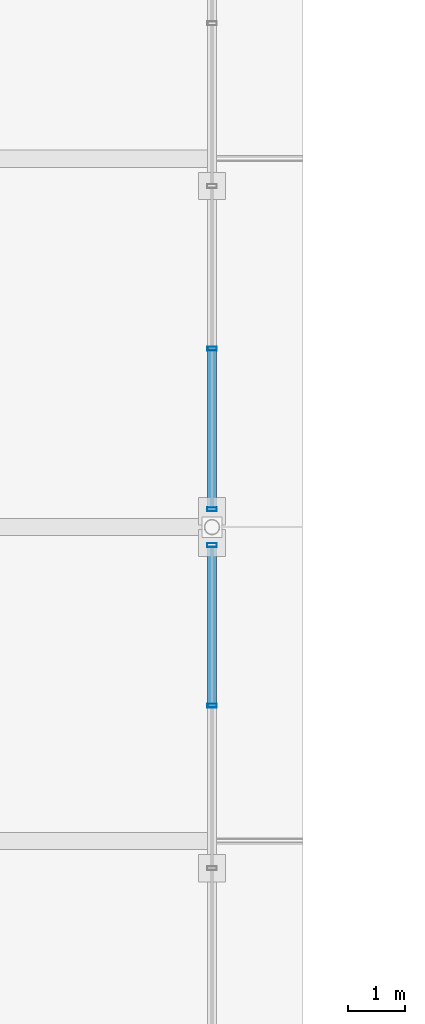
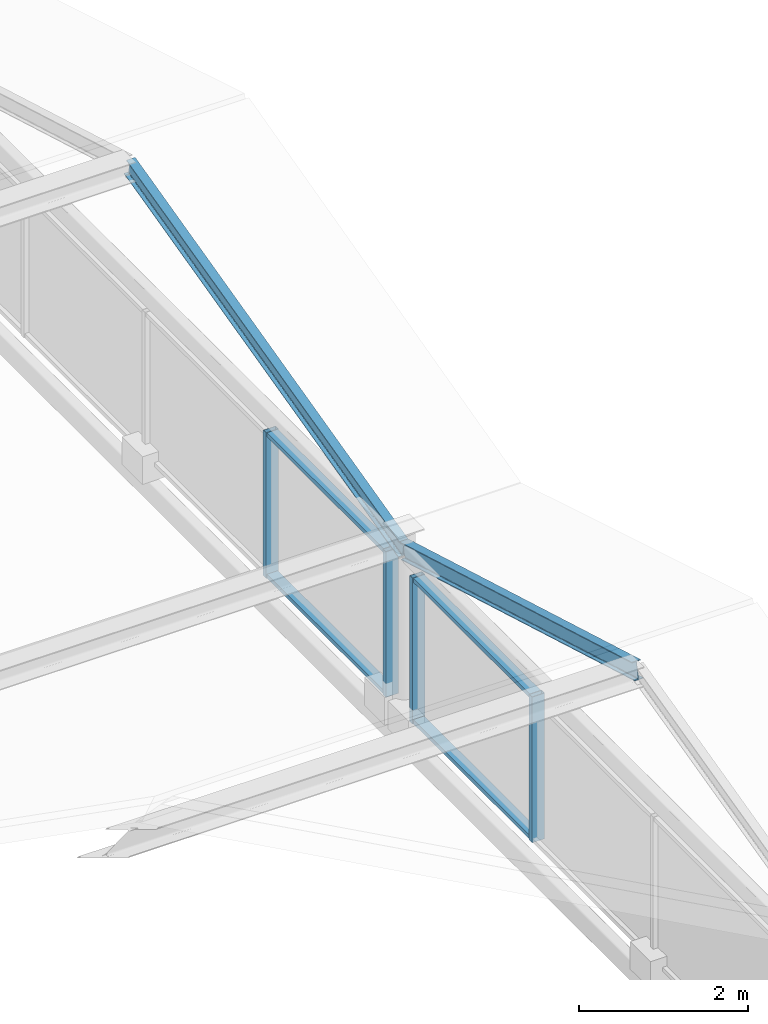
# One storey, part 67 of 117: 10 members, 2 elements without a shape of their own.
"""IFC4 building model written with IfcOpenShell, lengths in metres."""

from ifc_helpers import new_model, si_unit, direction, frame, origin, origin_2d, place, context, subcontext, project, spatial, hollow_rectangle, i_section, extrude, material, material_profile, profile_set, type_object, element, aggregate, save


model = new_model("IFC4")

# Units and contexts
model_context = context("Model", 3, precision=1e-05, world=origin(), true_north=direction((0.0, 1.0)))
body_context = subcontext(model_context, "Body", "Model", "MODEL_VIEW")
ifc_project = project(units=[si_unit("LENGTHUNIT", "METRE"), si_unit("AREAUNIT", "SQUARE_METRE"), si_unit("VOLUMEUNIT", "CUBIC_METRE"), si_unit("PLANEANGLEUNIT", "RADIAN"), si_unit("MASSUNIT", "GRAM", prefix="KILO")], contexts=[model_context])

# Site, building, storey
site_placement = place(None, origin())
site = spatial("IfcSite", under=ifc_project, at=site_placement, CompositionType="ELEMENT")
building_placement = place(site_placement, origin())
building = spatial("IfcBuilding", under=site, at=building_placement, Name="Merenkruunu Market Hall", CompositionType="ELEMENT")
storey_placement = place(building_placement, frame((0.0, 0.0, 10.199951171875)))
storey = spatial("IfcBuildingStorey", under=building, at=storey_placement, Name="L02", CompositionType="ELEMENT", Elevation=10.199951171875)

# Curtain wall, members
ifc_material_1 = material(Name="Powder-coated aluminium", Category="aluminium")
curtain_wall_type = type_object("IfcCurtainWallType", Name="Clerestory Curtain Band CL02", PredefinedType="USERDEFINED", material=ifc_material_1)
curtain_wall_1_placement = place(storey_placement, origin())
curtain_wall_1 = element("IfcCurtainWall", 1, at=curtain_wall_1_placement, inside=storey, type_object=curtain_wall_type, Name="CW-L02-CWM04-164", ObjectType="CLERESTORY_BAND", PredefinedType="USERDEFINED")
ifc_material_profile_1 = material_profile(ifc_material_1, hollow_rectangle(XDim=0.070068359375, YDim=0.169921875, WallThickness=0.0048828125, at=origin_2d()), Name="ALU 70x170x5")
ifc_profile_set_1 = profile_set([ifc_material_profile_1], Name="Powder-coated aluminium")
member_type_1 = type_object("IfcMemberType", Name="Curtain Wall Mullion CWM04", PredefinedType="MULLION", material=ifc_profile_set_1)
member_1_placement = place(storey_placement, frame((76.800048828125, 75.284912109375, 0.0), z_axis=(0.0, 0.0, 1.0), x_axis=(0.0, -1.0, 0.0)))
member_1 = element("IfcMember", 2, at=member_1_placement, type_object=member_type_1, Name="CL02 mullion 1", PredefinedType="MULLION", context=body_context, shape_type="SweptSolid", body=[
    extrude(hollow_rectangle(XDim=0.070068359375, YDim=0.169921875, WallThickness=0.0048828125, at=origin_2d()), origin(), (0.0, 0.0, 1.0), 2.10009765625),
])
member_2_placement = place(storey_placement, frame((76.800048828125, 72.4599609375, 0.0), z_axis=(0.0, 0.0, 1.0), x_axis=(0.0, -1.0, 0.0)))
member_2 = element("IfcMember", 3, at=member_2_placement, type_object=member_type_1, Name="CL02 mullion 2", PredefinedType="MULLION", context=body_context, shape_type="SweptSolid", body=[
    extrude(hollow_rectangle(XDim=0.070068359375, YDim=0.169921875, WallThickness=0.0048828125, at=origin_2d()), origin(), (0.0, 0.0, 1.0), 2.10009765625),
])

curtain_wall_2_placement = place(storey_placement, origin())
curtain_wall_2 = element("IfcCurtainWall", 4, at=curtain_wall_2_placement, inside=storey, type_object=curtain_wall_type, Name="CW-L02-CWM04-167", ObjectType="CLERESTORY_BAND", PredefinedType="USERDEFINED")
member_3_placement = place(storey_placement, frame((76.800048828125, 78.739990234375, 0.0), z_axis=(0.0, 0.0, 1.0), x_axis=(0.0, -1.0, 0.0)))
member_3 = element("IfcMember", 5, at=member_3_placement, type_object=member_type_1, Name="CL02 mullion 4", PredefinedType="MULLION", context=body_context, shape_type="SweptSolid", body=[
    extrude(hollow_rectangle(XDim=0.070068359375, YDim=0.169921875, WallThickness=0.0048828125, at=origin_2d()), origin(), (0.0, 0.0, 1.0), 2.10009765625),
])
member_4_placement = place(storey_placement, frame((76.800048828125, 75.9150390625, 0.0), z_axis=(0.0, 0.0, 1.0), x_axis=(0.0, -1.0, 0.0)))
member_4 = element("IfcMember", 6, at=member_4_placement, type_object=member_type_1, Name="CL02 mullion 5", PredefinedType="MULLION", context=body_context, shape_type="SweptSolid", body=[
    extrude(hollow_rectangle(XDim=0.070068359375, YDim=0.169921875, WallThickness=0.0048828125, at=origin_2d()), origin(), (0.0, 0.0, 1.0), 2.10009765625),
])

# Member
ifc_material_profile_2 = material_profile(ifc_material_1, hollow_rectangle(XDim=0.06005859375, YDim=0.14990234375, WallThickness=0.00390625, at=origin_2d()), Name="ALU 60x150x4")
ifc_profile_set_2 = profile_set([ifc_material_profile_2], Name="Powder-coated aluminium")
member_type_2 = type_object("IfcMemberType", Name="Curtain Wall Transom CWT04", PredefinedType="USERDEFINED", material=ifc_profile_set_2)
member_5_placement = place(storey_placement, frame((76.800048828125, 75.25, 0.030029296875), z_axis=(0.0, -1.0, 0.0), x_axis=(0.0, 0.0, 1.0)))
member_5 = element("IfcMember", 7, at=member_5_placement, type_object=member_type_2, Name="CL02 transom 1.1", ObjectType="TRANSOM", PredefinedType="USERDEFINED", context=body_context, shape_type="SweptSolid", body=[
    extrude(hollow_rectangle(XDim=0.06005859375, YDim=0.14990234375, WallThickness=0.00390625, at=origin_2d()), origin(), (0.0, 0.0, 1.0), 2.7548828125),
])

member_6_placement = place(storey_placement, frame((76.800048828125, 75.25, 2.070068359375), z_axis=(0.0, -1.0, 0.0), x_axis=(0.0, 0.0, 1.0)))
member_6 = element("IfcMember", 8, at=member_6_placement, type_object=member_type_2, Name="CL02 transom 1.2", ObjectType="TRANSOM", PredefinedType="USERDEFINED", context=body_context, shape_type="SweptSolid", body=[
    extrude(hollow_rectangle(XDim=0.06005859375, YDim=0.14990234375, WallThickness=0.00390625, at=origin_2d()), origin(), (0.0, 0.0, 1.0), 2.7548828125),
])

aggregate(curtain_wall_1, [member_1, member_2, member_5, member_6])

member_7_placement = place(storey_placement, frame((76.800048828125, 78.705078125, 0.030029296875), z_axis=(0.0, -1.0, 0.0), x_axis=(0.0, 0.0, 1.0)))
member_7 = element("IfcMember", 9, at=member_7_placement, type_object=member_type_2, Name="CL02 transom 4.1", ObjectType="TRANSOM", PredefinedType="USERDEFINED", context=body_context, shape_type="SweptSolid", body=[
    extrude(hollow_rectangle(XDim=0.06005859375, YDim=0.14990234375, WallThickness=0.00390625, at=origin_2d()), origin(), (0.0, 0.0, 1.0), 2.755126953125),
])

member_8_placement = place(storey_placement, frame((76.800048828125, 78.705078125, 2.070068359375), z_axis=(0.0, -1.0, 0.0), x_axis=(0.0, 0.0, 1.0)))
member_8 = element("IfcMember", 10, at=member_8_placement, type_object=member_type_2, Name="CL02 transom 4.2", ObjectType="TRANSOM", PredefinedType="USERDEFINED", context=body_context, shape_type="SweptSolid", body=[
    extrude(hollow_rectangle(XDim=0.06005859375, YDim=0.14990234375, WallThickness=0.00390625, at=origin_2d()), origin(), (0.0, 0.0, 1.0), 2.755126953125),
])

aggregate(curtain_wall_2, [member_3, member_4, member_7, member_8])

# Members
ifc_material_2 = material(Name="Steel S355ML", Category="steel")
ifc_material_profile_3 = material_profile(ifc_material_2, i_section(OverallWidth=0.1201171875, OverallDepth=0.239990234375, WebThickness=0.006103515625, FlangeThickness=0.009765625, FilletRadius=0.014892578125, at=origin_2d()), Name="IPE 240")
ifc_profile_set_3 = profile_set([ifc_material_profile_3], Name="Steel S355ML")
member_type_3 = type_object("IfcMemberType", Name="Roof Purlin Rafter PR02", PredefinedType="PURLIN", material=ifc_profile_set_3)
member_9_placement = place(storey_placement, frame((76.800048828125, 70.080078125, 3.880126953125), z_axis=(0.0, 0.960462085918, -0.27841081429), x_axis=(-1.0, 0.0, 0.0)))
element("IfcMember", 11, at=member_9_placement, inside=storey, type_object=member_type_3, Name="MEM-V4-SAWR-020", PredefinedType="PURLIN", context=body_context, shape_type="SweptSolid", body=[
    extrude(i_section(OverallWidth=0.1201171875, OverallDepth=0.239990234375, WebThickness=0.006103515625, FlangeThickness=0.009765625, FilletRadius=0.014892578125, at=origin_2d()), origin(), (0.0, 0.0, 1.0), 5.747314453125),
])
member_10_placement = place(storey_placement, frame((76.800048828125, 75.60009765625, 2.280029296875), z_axis=(0.0, 0.970839870255, 0.239728901727), x_axis=(-1.0, 0.0, 0.0)))
element("IfcMember", 12, at=member_10_placement, inside=storey, type_object=member_type_3, Name="MEM-V4-SAWR-023", PredefinedType="PURLIN", context=body_context, shape_type="SweptSolid", body=[
    extrude(i_section(OverallWidth=0.1201171875, OverallDepth=0.239990234375, WebThickness=0.006103515625, FlangeThickness=0.009765625, FilletRadius=0.014892578125, at=origin_2d()), origin(), (0.0, 0.0, 1.0), 6.674560546875),
])

save(model, "model.ifc")
